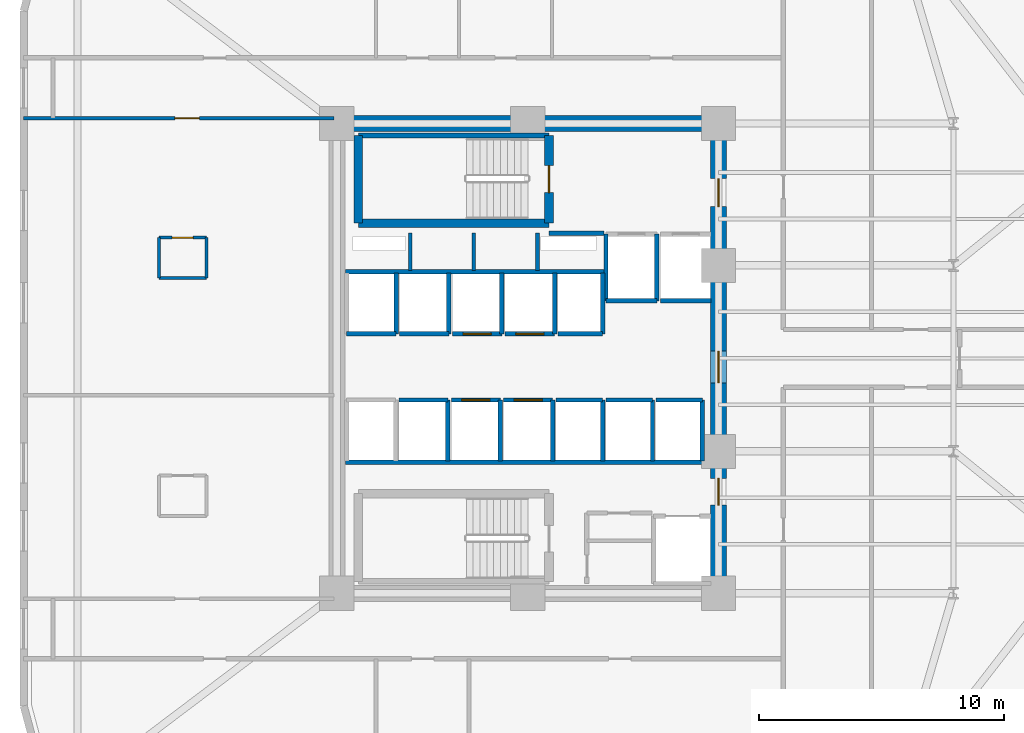
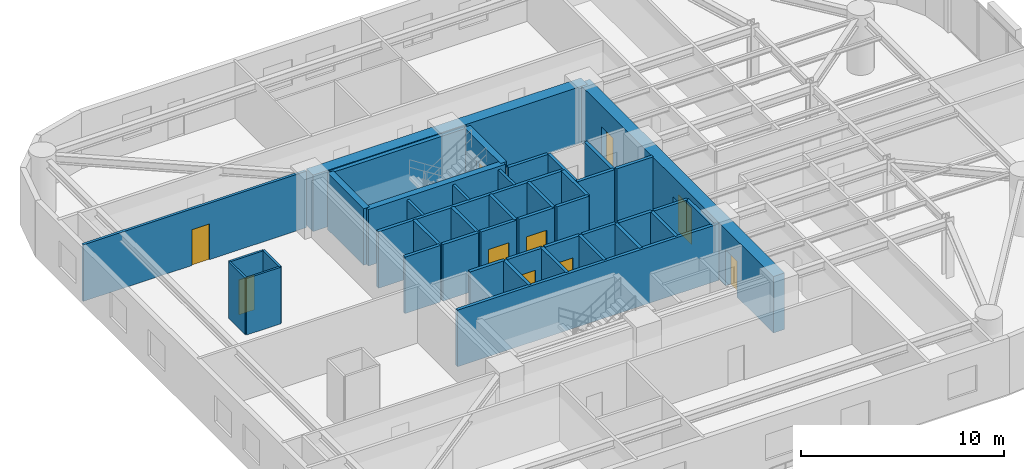
# One storey, part 11 of 15: 43 walls, 10 doors, 10 openings.
"""IFC4 building model written with IfcOpenShell, lengths in metres."""

from ifc_helpers import new_model, si_unit, direction, frame, frame_2d, origin, place, context, subcontext, project, spatial, rectangle, extrude, material, layer, layer_set, type_object, element, fill, save


model = new_model("IFC4")

# Units and contexts
model_context = context("Model", 3, precision=1e-05, world=origin(), true_north=direction((0.0, 1.0)))
body_context = subcontext(model_context, "Body", "Model", "MODEL_VIEW")
ifc_project = project(units=[si_unit("LENGTHUNIT", "METRE"), si_unit("AREAUNIT", "SQUARE_METRE"), si_unit("VOLUMEUNIT", "CUBIC_METRE"), si_unit("PLANEANGLEUNIT", "RADIAN"), si_unit("MASSUNIT", "GRAM", prefix="KILO")], contexts=[model_context])

# Site, building, storey
site_placement = place(None, origin())
site = spatial("IfcSite", under=ifc_project, at=site_placement, CompositionType="ELEMENT")
building_placement = place(site_placement, origin())
building = spatial("IfcBuilding", under=site, at=building_placement, Name="An Khanh Terracotta Commons", CompositionType="ELEMENT")
storey_placement = place(building_placement, frame((0.0, 0.0, 86.300048828125)))
storey = spatial("IfcBuildingStorey", under=building, at=storey_placement, Name="L22", CompositionType="ELEMENT", Elevation=86.300048828125)

# Wall
ifc_material_1 = material(Name="Concrete C60/75", Category="concrete")
ifc_layer_1 = layer(ifc_material_1, 0.64990234375, Name="Concrete C60/75")
ifc_layer_set_1 = layer_set([ifc_layer_1], Name="Concrete C60/75")
wall_type_1 = type_object("IfcWallType", Name="WALL-CORE-650", PredefinedType="SHEAR", material=ifc_layer_set_1)
wall_1_placement = place(storey_placement, frame((21.60009765625, 33.60009765625, 0.0), z_axis=(0.0, 0.0, 1.0), x_axis=(1.0, 0.0, 0.0)))
element("IfcWall", 1, at=wall_1_placement, inside=storey, type_object=wall_type_1, Name="L22 Core Wall CWALL-L22-N", PredefinedType="SHEAR", context=body_context, shape_type="SweptSolid", body=[
    extrude(rectangle(XDim=15.599853515625, YDim=0.64990234375, at=frame_2d((7.7998046875, 0.0))), origin(), (0.0, 0.0, 1.0), 3.39990234375),
])

# Wall, openings, doors
wall_2_placement = place(storey_placement, frame((37.199951171875, 14.39990234375, 0.0), z_axis=(0.0, 0.0, 1.0), x_axis=(0.0, 1.0, 0.0)))
wall_2 = element("IfcWall", 2, at=wall_2_placement, inside=storey, type_object=wall_type_1, Name="L22 Core Wall CWALL-L22-E", PredefinedType="SHEAR", context=body_context, shape_type="SweptSolid", body=[
    extrude(rectangle(XDim=19.2001953125, YDim=0.64990234375, at=frame_2d((9.60009765625, 0.0))), origin(), (0.0, 0.0, 1.0), 3.39990234375),
])
opening_1_placement = place(wall_2_placement, frame((15.800048828125, 0.0, 0.0)))
opening_1 = element("IfcOpeningElement", 3, at=opening_1_placement, cuts=wall_2, Name="Opening D-FFL", PredefinedType="OPENING", context=body_context, shape_type="SweptSolid", body=[
    extrude(rectangle(XDim=1.14990234375, YDim=2.14990234375, at=frame_2d((0.574951171875, 1.074951171875))), frame((0.0, 0.3349609375, 0.0), z_axis=(0.0, -1.0, 0.0), x_axis=(1.0, 0.0, 0.0)), (0.0, 0.0, 1.0), 0.669921875),
])
opening_2_placement = place(wall_2_placement, frame((3.60009765625, 0.0, 0.0)))
opening_2 = element("IfcOpeningElement", 4, at=opening_2_placement, cuts=wall_2, Name="Opening D-ST", PredefinedType="OPENING", context=body_context, shape_type="SweptSolid", body=[
    extrude(rectangle(XDim=1.10009765625, YDim=2.14990234375, at=frame_2d((0.550048828125, 1.074951171875))), frame((0.0, 0.3349609375, 0.0), z_axis=(0.0, -1.0, 0.0), x_axis=(1.0, 0.0, 0.0)), (0.0, 0.0, 1.0), 0.669921875),
])
opening_3_placement = place(wall_2_placement, frame((8.60009765625, 0.0, 0.0)))
opening_3 = element("IfcOpeningElement", 5, at=opening_3_placement, cuts=wall_2, Name="Opening D-COR", PredefinedType="OPENING", context=body_context, shape_type="SweptSolid", body=[
    extrude(rectangle(XDim=1.300048828125, YDim=2.199951171875, at=frame_2d((0.64990234375, 1.10009765625))), frame((0.0, 0.3349609375, 0.0), z_axis=(0.0, -1.0, 0.0), x_axis=(1.0, 0.0, 0.0)), (0.0, 0.0, 1.0), 0.669921875),
])
ifc_material_2 = material(Name="Fire-Rated Glazed Steel Double Door", Category="steel")
door_type_1 = type_object("IfcDoorType", Name="DOOR-CORR-1300", OperationType="NOTDEFINED", PredefinedType="DOOR", material=ifc_material_2)
door_1_placement = place(opening_3_placement, origin())
door_1 = element("IfcDoor", 6, at=door_1_placement, inside=storey, type_object=door_type_1, Name="L22 Passenger Lift Lobby Double Door", OperationType="DOUBLE_DOOR_SINGLE_SWING", OverallHeight=2.199951171875, OverallWidth=1.300048828125, PredefinedType="DOOR", context=body_context, shape_type="SweptSolid", body=[
    extrude(rectangle(XDim=1.300048828125, YDim=2.199951171875, at=frame_2d((0.64990234375, 1.10009765625))), frame((0.0, 0.02490234375, 0.0), z_axis=(0.0, -1.0, 0.0), x_axis=(1.0, 0.0, 0.0)), (0.0, 0.0, 1.0), 0.050048828125),
])
fill(opening_3, door_1)
ifc_material_3 = material(Name="Fire-Rated Steel Leaf and Vision Panel", Category="steel")
door_type_2 = type_object("IfcDoorType", Name="DOOR-FFL-1150", OperationType="NOTDEFINED", PredefinedType="DOOR", material=ifc_material_3)
door_2_placement = place(opening_1_placement, origin())
door_2 = element("IfcDoor", 7, at=door_2_placement, inside=storey, type_object=door_type_2, Name="L22 Firefighting Lift Lobby Fire Door", OperationType="SINGLE_SWING_LEFT", OverallHeight=2.14990234375, OverallWidth=1.14990234375, PredefinedType="DOOR", context=body_context, shape_type="SweptSolid", body=[
    extrude(rectangle(XDim=1.14990234375, YDim=2.14990234375, at=frame_2d((0.574951171875, 1.074951171875))), frame((0.0, 0.02490234375, 0.0), z_axis=(0.0, -1.0, 0.0), x_axis=(1.0, 0.0, 0.0)), (0.0, 0.0, 1.0), 0.050048828125),
])
fill(opening_1, door_2)
ifc_material_4 = material(Name="Fire-Rated Steel Leaf and Frame", Category="steel")
door_type_3 = type_object("IfcDoorType", Name="DOOR-STAIR-1100", OperationType="NOTDEFINED", PredefinedType="DOOR", material=ifc_material_4)
door_3_placement = place(opening_2_placement, origin())
door_3 = element("IfcDoor", 8, at=door_3_placement, inside=storey, type_object=door_type_3, Name="L22 South Stair Lobby Fire Door", OperationType="SINGLE_SWING_RIGHT", OverallHeight=2.14990234375, OverallWidth=1.10009765625, PredefinedType="DOOR", context=body_context, shape_type="SweptSolid", body=[
    extrude(rectangle(XDim=1.10009765625, YDim=2.14990234375, at=frame_2d((0.550048828125, 1.074951171875))), frame((0.0, 0.02490234375, 0.0), z_axis=(0.0, -1.0, 0.0), x_axis=(1.0, 0.0, 0.0)), (0.0, 0.0, 1.0), 0.050048828125),
])
fill(opening_2, door_3)

# Walls
ifc_material_5 = material(Name="Fire-Rated Gypsum Board on Steel Stud", Category="steel")
ifc_layer_2 = layer(ifc_material_5, 0.179931640625, Name="Fire-Rated Gypsum Board on Steel Stud")
ifc_layer_set_2 = layer_set([ifc_layer_2], Name="Fire-Rated Gypsum Board on Steel Stud")
wall_type_2 = type_object("IfcWallType", Name="WALL-CORR-180", PredefinedType="PARTITIONING", material=ifc_layer_set_2)
wall_3_placement = place(storey_placement, frame((30.27001953125, 29.1201171875, 0.0), z_axis=(0.0, 0.0, 1.0), x_axis=(1.0, 0.0, 0.0)))
element("IfcWall", 9, at=wall_3_placement, inside=storey, type_object=wall_type_2, Name="L22 Core Wall FFLW-L22-S", PredefinedType="PARTITIONING", context=body_context, shape_type="SweptSolid", body=[
    extrude(rectangle(XDim=2.239990234375, YDim=0.179931640625, at=frame_2d((1.1201171875, 0.0))), origin(), (0.0, 0.0, 1.0), 3.39990234375),
])
wall_4_placement = place(storey_placement, frame((21.949951171875, 27.5400390625, 0.0), z_axis=(0.0, 0.0, 1.0), x_axis=(1.0, 0.0, 0.0)))
element("IfcWall", 10, at=wall_4_placement, inside=storey, type_object=wall_type_2, Name="L22 Core Wall RSRW-L22-S", PredefinedType="PARTITIONING", context=body_context, shape_type="SweptSolid", body=[
    extrude(rectangle(XDim=10.56005859375, YDim=0.179931640625, at=frame_2d((5.280029296875, 0.0))), origin(), (0.0, 0.0, 1.0), 3.39990234375),
])
wall_5_placement = place(storey_placement, frame((21.949951171875, 19.760009765625, 0.0), z_axis=(0.0, 0.0, 1.0), x_axis=(1.0, 0.0, 0.0)))
element("IfcWall", 11, at=wall_5_placement, inside=storey, type_object=wall_type_2, Name="L22 Core Wall SVW-L22-N", PredefinedType="PARTITIONING", context=body_context, shape_type="SweptSolid", body=[
    extrude(rectangle(XDim=14.8701171875, YDim=0.179931640625, at=frame_2d((7.43505859375, 0.0))), origin(), (0.0, 0.0, 1.0), 3.39990234375),
])
wall_6_placement = place(storey_placement, frame((34.679931640625, 26.35009765625, 0.0), z_axis=(0.0, 0.0, 1.0), x_axis=(-1.0, 0.0, 0.0)))
element("IfcWall", 12, at=wall_6_placement, inside=storey, type_object=wall_type_2, Name="L22 Core Wall LSH-L22-FFL-01-S", PredefinedType="PARTITIONING", context=body_context, shape_type="SweptSolid", body=[
    extrude(rectangle(XDim=2.079833984375, YDim=0.179931640625, at=frame_2d((1.0400390625, 0.0))), origin(), (0.0, 0.0, 1.0), 3.39990234375),
])
for number, where, z_axis, x_axis, name in (
    (13, (34.679931640625, 26.35009765625, 0.0), (0.0, 0.0, 1.0), (0.0, 1.0, 0.0), "L22 Core Wall LSH-L22-FFL-01-E"),
    (14, (32.60009765625, 29.080078125, 0.0), (0.0, 0.0, 1.0), (0.0, -1.0, 0.0), "L22 Core Wall LSH-L22-FFL-01-W"),
):
    element("IfcWall", number, at=place(storey_placement, frame(where, z_axis=z_axis, x_axis=x_axis)), inside=storey, type_object=wall_type_2, Name=name, PredefinedType="PARTITIONING", context=body_context, shape_type="SweptSolid", body=[
        extrude(rectangle(XDim=2.72998046875, YDim=0.179931640625, at=frame_2d((1.364990234375, 0.0))), origin(), (0.0, 0.0, 1.0), 3.39990234375),
    ])
wall_7_placement = place(storey_placement, frame((36.89990234375, 26.35009765625, 0.0), z_axis=(0.0, 0.0, 1.0), x_axis=(-1.0, 0.0, 0.0)))
element("IfcWall", 15, at=wall_7_placement, inside=storey, type_object=wall_type_2, Name="L22 Core Wall LSH-L22-FFL-02-S", PredefinedType="PARTITIONING", context=body_context, shape_type="SweptSolid", body=[
    extrude(rectangle(XDim=2.079833984375, YDim=0.179931640625, at=frame_2d((1.0400390625, 0.0))), origin(), (0.0, 0.0, 1.0), 3.39990234375),
])
wall_8_placement = place(storey_placement, frame((24.02001953125, 25.0, 0.0), z_axis=(0.0, 0.0, 1.0), x_axis=(-1.0, 0.0, 0.0)))
element("IfcWall", 16, at=wall_8_placement, inside=storey, type_object=wall_type_2, Name="L22 Core Wall LSH-L22-PL-L1-S", PredefinedType="PARTITIONING", context=body_context, shape_type="SweptSolid", body=[
    extrude(rectangle(XDim=2.02001953125, YDim=0.179931640625, at=frame_2d((1.010009765625, 0.0))), origin(), (0.0, 0.0, 1.0), 3.39990234375),
])
wall_9_placement = place(storey_placement, frame((24.02001953125, 25.0, 0.0), z_axis=(0.0, 0.0, 1.0), x_axis=(0.0, 1.0, 0.0)))
element("IfcWall", 17, at=wall_9_placement, inside=storey, type_object=wall_type_2, Name="L22 Core Wall LSH-L22-PL-L1-E", PredefinedType="PARTITIONING", context=body_context, shape_type="SweptSolid", body=[
    extrude(rectangle(XDim=2.5, YDim=0.179931640625, at=frame_2d((1.25, 0.0))), origin(), (0.0, 0.0, 1.0), 3.39990234375),
])
wall_10_placement = place(storey_placement, frame((26.179931640625, 25.0, 0.0), z_axis=(0.0, 0.0, 1.0), x_axis=(-1.0, 0.0, 0.0)))
element("IfcWall", 18, at=wall_10_placement, inside=storey, type_object=wall_type_2, Name="L22 Core Wall LSH-L22-PL-L2-S", PredefinedType="PARTITIONING", context=body_context, shape_type="SweptSolid", body=[
    extrude(rectangle(XDim=2.02001953125, YDim=0.179931640625, at=frame_2d((1.010009765625, 0.0))), origin(), (0.0, 0.0, 1.0), 3.39990234375),
])
wall_11_placement = place(storey_placement, frame((26.179931640625, 25.0, 0.0), z_axis=(0.0, 0.0, 1.0), x_axis=(0.0, 1.0, 0.0)))
element("IfcWall", 19, at=wall_11_placement, inside=storey, type_object=wall_type_2, Name="L22 Core Wall LSH-L22-PL-L2-E", PredefinedType="PARTITIONING", context=body_context, shape_type="SweptSolid", body=[
    extrude(rectangle(XDim=2.5, YDim=0.179931640625, at=frame_2d((1.25, 0.0))), origin(), (0.0, 0.0, 1.0), 3.39990234375),
])
wall_12_placement = place(storey_placement, frame((24.139892578125, 22.300048828125, 0.0), z_axis=(0.0, 0.0, 1.0), x_axis=(1.0, 0.0, 0.0)))
element("IfcWall", 20, at=wall_12_placement, inside=storey, type_object=wall_type_2, Name="L22 Core Wall LSH-L22-PL-L4-N", PredefinedType="PARTITIONING", context=body_context, shape_type="SweptSolid", body=[
    extrude(rectangle(XDim=2.0, YDim=0.179931640625, at=frame_2d((1.0, 0.0))), origin(), (0.0, 0.0, 1.0), 3.39990234375),
])
wall_13_placement = place(storey_placement, frame((26.139892578125, 19.800048828125, 0.0), z_axis=(0.0, 0.0, 1.0), x_axis=(0.0, 1.0, 0.0)))
element("IfcWall", 21, at=wall_13_placement, inside=storey, type_object=wall_type_2, Name="L22 Core Wall LSH-L22-PL-L4-E", PredefinedType="PARTITIONING", context=body_context, shape_type="SweptSolid", body=[
    extrude(rectangle(XDim=2.5, YDim=0.179931640625, at=frame_2d((1.25, 0.0))), origin(), (0.0, 0.0, 1.0), 3.39990234375),
])

# Wall, opening, door
wall_14_placement = place(storey_placement, frame((28.340087890625, 25.0, 0.0), z_axis=(0.0, 0.0, 1.0), x_axis=(-1.0, 0.0, 0.0)))
wall_14 = element("IfcWall", 22, at=wall_14_placement, inside=storey, type_object=wall_type_2, Name="L22 Core Wall LSH-L22-PL-M1-S", PredefinedType="PARTITIONING", context=body_context, shape_type="SweptSolid", body=[
    extrude(rectangle(XDim=2.02001953125, YDim=0.179931640625, at=frame_2d((1.010009765625, 0.0))), origin(), (0.0, 0.0, 1.0), 3.39990234375),
])
opening_4_placement = place(wall_14_placement, frame((0.43505859375, 0.0, 0.0)))
opening_4 = element("IfcOpeningElement", 23, at=opening_4_placement, cuts=wall_14, Name="Opening LD-PL-M1-L22", PredefinedType="OPENING", context=body_context, shape_type="SweptSolid", body=[
    extrude(rectangle(XDim=1.14990234375, YDim=2.199951171875, at=frame_2d((0.574951171875, 1.10009765625))), frame((0.0, 0.099853515625, 0.0), z_axis=(0.0, -1.0, 0.0), x_axis=(1.0, 0.0, 0.0)), (0.0, 0.0, 1.0), 0.199951171875),
])
ifc_material_6 = material(Name="Brushed Stainless Steel Passenger Landing Door", Category="steel")
door_type_4 = type_object("IfcDoorType", Name="DOOR-LD-PAX-1150", OperationType="NOTDEFINED", PredefinedType="DOOR", material=ifc_material_6)
door_4_placement = place(opening_4_placement, origin())
door_4 = element("IfcDoor", 24, at=door_4_placement, inside=storey, type_object=door_type_4, Name="L22 Lift PL-M1 Sliding Landing Door", OperationType="DOUBLE_DOOR_SLIDING", OverallHeight=2.199951171875, OverallWidth=1.14990234375, PredefinedType="DOOR", context=body_context, shape_type="SweptSolid", body=[
    extrude(rectangle(XDim=1.14990234375, YDim=2.199951171875, at=frame_2d((0.574951171875, 1.10009765625))), frame((0.0, 0.02490234375, 0.0), z_axis=(0.0, -1.0, 0.0), x_axis=(1.0, 0.0, 0.0)), (0.0, 0.0, 1.0), 0.050048828125),
])
fill(opening_4, door_4)

# Wall
wall_15_placement = place(storey_placement, frame((28.340087890625, 25.0, 0.0), z_axis=(0.0, 0.0, 1.0), x_axis=(0.0, 1.0, 0.0)))
element("IfcWall", 25, at=wall_15_placement, inside=storey, type_object=wall_type_2, Name="L22 Core Wall LSH-L22-PL-M1-E", PredefinedType="PARTITIONING", context=body_context, shape_type="SweptSolid", body=[
    extrude(rectangle(XDim=2.5, YDim=0.179931640625, at=frame_2d((1.25, 0.0))), origin(), (0.0, 0.0, 1.0), 3.39990234375),
])

# Wall, opening, door
wall_16_placement = place(storey_placement, frame((30.5, 25.0, 0.0), z_axis=(0.0, 0.0, 1.0), x_axis=(-1.0, 0.0, 0.0)))
wall_16 = element("IfcWall", 26, at=wall_16_placement, inside=storey, type_object=wall_type_2, Name="L22 Core Wall LSH-L22-PL-M2-S", PredefinedType="PARTITIONING", context=body_context, shape_type="SweptSolid", body=[
    extrude(rectangle(XDim=2.02001953125, YDim=0.179931640625, at=frame_2d((1.010009765625, 0.0))), origin(), (0.0, 0.0, 1.0), 3.39990234375),
])
opening_5_placement = place(wall_16_placement, frame((0.43505859375, 0.0, 0.0)))
opening_5 = element("IfcOpeningElement", 27, at=opening_5_placement, cuts=wall_16, Name="Opening LD-PL-M2-L22", PredefinedType="OPENING", context=body_context, shape_type="SweptSolid", body=[
    extrude(rectangle(XDim=1.14990234375, YDim=2.199951171875, at=frame_2d((0.574951171875, 1.10009765625))), frame((0.0, 0.099853515625, 0.0), z_axis=(0.0, -1.0, 0.0), x_axis=(1.0, 0.0, 0.0)), (0.0, 0.0, 1.0), 0.199951171875),
])
door_5_placement = place(opening_5_placement, origin())
door_5 = element("IfcDoor", 28, at=door_5_placement, inside=storey, type_object=door_type_4, Name="L22 Lift PL-M2 Sliding Landing Door", OperationType="DOUBLE_DOOR_SLIDING", OverallHeight=2.199951171875, OverallWidth=1.14990234375, PredefinedType="DOOR", context=body_context, shape_type="SweptSolid", body=[
    extrude(rectangle(XDim=1.14990234375, YDim=2.199951171875, at=frame_2d((0.574951171875, 1.10009765625))), frame((0.0, 0.02490234375, 0.0), z_axis=(0.0, -1.0, 0.0), x_axis=(1.0, 0.0, 0.0)), (0.0, 0.0, 1.0), 0.050048828125),
])
fill(opening_5, door_5)

# Wall
wall_17_placement = place(storey_placement, frame((30.5, 25.0, 0.0), z_axis=(0.0, 0.0, 1.0), x_axis=(0.0, 1.0, 0.0)))
element("IfcWall", 29, at=wall_17_placement, inside=storey, type_object=wall_type_2, Name="L22 Core Wall LSH-L22-PL-M2-E", PredefinedType="PARTITIONING", context=body_context, shape_type="SweptSolid", body=[
    extrude(rectangle(XDim=2.5, YDim=0.179931640625, at=frame_2d((1.25, 0.0))), origin(), (0.0, 0.0, 1.0), 3.39990234375),
])

# Wall, opening, door
wall_18_placement = place(storey_placement, frame((26.280029296875, 22.300048828125, 0.0), z_axis=(0.0, 0.0, 1.0), x_axis=(1.0, 0.0, 0.0)))
wall_18 = element("IfcWall", 30, at=wall_18_placement, inside=storey, type_object=wall_type_2, Name="L22 Core Wall LSH-L22-PL-M3-N", PredefinedType="PARTITIONING", context=body_context, shape_type="SweptSolid", body=[
    extrude(rectangle(XDim=2.0, YDim=0.179931640625, at=frame_2d((1.0, 0.0))), origin(), (0.0, 0.0, 1.0), 3.39990234375),
])
opening_6_placement = place(wall_18_placement, frame((0.425048828125, 0.0, 0.0)))
opening_6 = element("IfcOpeningElement", 31, at=opening_6_placement, cuts=wall_18, Name="Opening LD-PL-M3-L22", PredefinedType="OPENING", context=body_context, shape_type="SweptSolid", body=[
    extrude(rectangle(XDim=1.14990234375, YDim=2.199951171875, at=frame_2d((0.574951171875, 1.10009765625))), frame((0.0, 0.099853515625, 0.0), z_axis=(0.0, -1.0, 0.0), x_axis=(1.0, 0.0, 0.0)), (0.0, 0.0, 1.0), 0.199951171875),
])
door_6_placement = place(opening_6_placement, origin())
door_6 = element("IfcDoor", 32, at=door_6_placement, inside=storey, type_object=door_type_4, Name="L22 Lift PL-M3 Sliding Landing Door", OperationType="DOUBLE_DOOR_SLIDING", OverallHeight=2.199951171875, OverallWidth=1.14990234375, PredefinedType="DOOR", context=body_context, shape_type="SweptSolid", body=[
    extrude(rectangle(XDim=1.14990234375, YDim=2.199951171875, at=frame_2d((0.574951171875, 1.10009765625))), frame((0.0, 0.02490234375, 0.0), z_axis=(0.0, -1.0, 0.0), x_axis=(1.0, 0.0, 0.0)), (0.0, 0.0, 1.0), 0.050048828125),
])
fill(opening_6, door_6)

# Wall
wall_19_placement = place(storey_placement, frame((28.280029296875, 19.800048828125, 0.0), z_axis=(0.0, 0.0, 1.0), x_axis=(0.0, 1.0, 0.0)))
element("IfcWall", 33, at=wall_19_placement, inside=storey, type_object=wall_type_2, Name="L22 Core Wall LSH-L22-PL-M3-E", PredefinedType="PARTITIONING", context=body_context, shape_type="SweptSolid", body=[
    extrude(rectangle(XDim=2.5, YDim=0.179931640625, at=frame_2d((1.25, 0.0))), origin(), (0.0, 0.0, 1.0), 3.39990234375),
])

# Wall, opening, door
wall_20_placement = place(storey_placement, frame((28.419921875, 22.300048828125, 0.0), z_axis=(0.0, 0.0, 1.0), x_axis=(1.0, 0.0, 0.0)))
wall_20 = element("IfcWall", 34, at=wall_20_placement, inside=storey, type_object=wall_type_2, Name="L22 Core Wall LSH-L22-PL-M4-N", PredefinedType="PARTITIONING", context=body_context, shape_type="SweptSolid", body=[
    extrude(rectangle(XDim=2.0, YDim=0.179931640625, at=frame_2d((1.0, 0.0))), origin(), (0.0, 0.0, 1.0), 3.39990234375),
])
opening_7_placement = place(wall_20_placement, frame((0.425048828125, 0.0, 0.0)))
opening_7 = element("IfcOpeningElement", 35, at=opening_7_placement, cuts=wall_20, Name="Opening LD-PL-M4-L22", PredefinedType="OPENING", context=body_context, shape_type="SweptSolid", body=[
    extrude(rectangle(XDim=1.14990234375, YDim=2.199951171875, at=frame_2d((0.574951171875, 1.10009765625))), frame((0.0, 0.099853515625, 0.0), z_axis=(0.0, -1.0, 0.0), x_axis=(1.0, 0.0, 0.0)), (0.0, 0.0, 1.0), 0.199951171875),
])
door_7_placement = place(opening_7_placement, origin())
door_7 = element("IfcDoor", 36, at=door_7_placement, inside=storey, type_object=door_type_4, Name="L22 Lift PL-M4 Sliding Landing Door", OperationType="DOUBLE_DOOR_SLIDING", OverallHeight=2.199951171875, OverallWidth=1.14990234375, PredefinedType="DOOR", context=body_context, shape_type="SweptSolid", body=[
    extrude(rectangle(XDim=1.14990234375, YDim=2.199951171875, at=frame_2d((0.574951171875, 1.10009765625))), frame((0.0, 0.02490234375, 0.0), z_axis=(0.0, -1.0, 0.0), x_axis=(1.0, 0.0, 0.0)), (0.0, 0.0, 1.0), 0.050048828125),
])
fill(opening_7, door_7)

# Walls
wall_21_placement = place(storey_placement, frame((30.419921875, 19.800048828125, 0.0), z_axis=(0.0, 0.0, 1.0), x_axis=(0.0, 1.0, 0.0)))
element("IfcWall", 37, at=wall_21_placement, inside=storey, type_object=wall_type_2, Name="L22 Core Wall LSH-L22-PL-M4-E", PredefinedType="PARTITIONING", context=body_context, shape_type="SweptSolid", body=[
    extrude(rectangle(XDim=2.5, YDim=0.179931640625, at=frame_2d((1.25, 0.0))), origin(), (0.0, 0.0, 1.0), 3.39990234375),
])
wall_22_placement = place(storey_placement, frame((32.4599609375, 25.0, 0.0), z_axis=(0.0, 0.0, 1.0), x_axis=(-1.0, 0.0, 0.0)))
element("IfcWall", 38, at=wall_22_placement, inside=storey, type_object=wall_type_2, Name="L22 Core Wall LSH-L22-PL-H1-S", PredefinedType="PARTITIONING", context=body_context, shape_type="SweptSolid", body=[
    extrude(rectangle(XDim=1.820068359375, YDim=0.179931640625, at=frame_2d((0.91015625, 0.0))), origin(), (0.0, 0.0, 1.0), 3.39990234375),
])
wall_23_placement = place(storey_placement, frame((32.4599609375, 25.0, 0.0), z_axis=(0.0, 0.0, 1.0), x_axis=(0.0, 1.0, 0.0)))
element("IfcWall", 39, at=wall_23_placement, inside=storey, type_object=wall_type_2, Name="L22 Core Wall LSH-L22-PL-H1-E", PredefinedType="PARTITIONING", context=body_context, shape_type="SweptSolid", body=[
    extrude(rectangle(XDim=2.5, YDim=0.179931640625, at=frame_2d((1.25, 0.0))), origin(), (0.0, 0.0, 1.0), 3.39990234375),
])
wall_24_placement = place(storey_placement, frame((30.56005859375, 22.300048828125, 0.0), z_axis=(0.0, 0.0, 1.0), x_axis=(1.0, 0.0, 0.0)))
element("IfcWall", 40, at=wall_24_placement, inside=storey, type_object=wall_type_2, Name="L22 Core Wall LSH-L22-PL-H2-N", PredefinedType="PARTITIONING", context=body_context, shape_type="SweptSolid", body=[
    extrude(rectangle(XDim=1.89990234375, YDim=0.179931640625, at=frame_2d((0.949951171875, 0.0))), origin(), (0.0, 0.0, 1.0), 3.39990234375),
])
wall_25_placement = place(storey_placement, frame((32.4599609375, 19.800048828125, 0.0), z_axis=(0.0, 0.0, 1.0), x_axis=(0.0, 1.0, 0.0)))
element("IfcWall", 41, at=wall_25_placement, inside=storey, type_object=wall_type_2, Name="L22 Core Wall LSH-L22-PL-H2-E", PredefinedType="PARTITIONING", context=body_context, shape_type="SweptSolid", body=[
    extrude(rectangle(XDim=2.5, YDim=0.179931640625, at=frame_2d((1.25, 0.0))), origin(), (0.0, 0.0, 1.0), 3.39990234375),
])
wall_26_placement = place(storey_placement, frame((32.60009765625, 22.300048828125, 0.0), z_axis=(0.0, 0.0, 1.0), x_axis=(1.0, 0.0, 0.0)))
element("IfcWall", 42, at=wall_26_placement, inside=storey, type_object=wall_type_2, Name="L22 Core Wall LSH-L22-PL-H3-N", PredefinedType="PARTITIONING", context=body_context, shape_type="SweptSolid", body=[
    extrude(rectangle(XDim=1.89990234375, YDim=0.179931640625, at=frame_2d((0.949951171875, 0.0))), origin(), (0.0, 0.0, 1.0), 3.39990234375),
])
wall_27_placement = place(storey_placement, frame((34.5, 19.800048828125, 0.0), z_axis=(0.0, 0.0, 1.0), x_axis=(0.0, 1.0, 0.0)))
element("IfcWall", 43, at=wall_27_placement, inside=storey, type_object=wall_type_2, Name="L22 Core Wall LSH-L22-PL-H3-E", PredefinedType="PARTITIONING", context=body_context, shape_type="SweptSolid", body=[
    extrude(rectangle(XDim=2.5, YDim=0.179931640625, at=frame_2d((1.25, 0.0))), origin(), (0.0, 0.0, 1.0), 3.39990234375),
])
wall_28_placement = place(storey_placement, frame((34.639892578125, 22.300048828125, 0.0), z_axis=(0.0, 0.0, 1.0), x_axis=(1.0, 0.0, 0.0)))
element("IfcWall", 44, at=wall_28_placement, inside=storey, type_object=wall_type_2, Name="L22 Core Wall LSH-L22-PL-H4-N", PredefinedType="PARTITIONING", context=body_context, shape_type="SweptSolid", body=[
    extrude(rectangle(XDim=1.900146484375, YDim=0.179931640625, at=frame_2d((0.9501953125, 0.0))), origin(), (0.0, 0.0, 1.0), 3.39990234375),
])
wall_29_placement = place(storey_placement, frame((36.5400390625, 19.800048828125, 0.0), z_axis=(0.0, 0.0, 1.0), x_axis=(0.0, 1.0, 0.0)))
element("IfcWall", 45, at=wall_29_placement, inside=storey, type_object=wall_type_2, Name="L22 Core Wall LSH-L22-PL-H4-E", PredefinedType="PARTITIONING", context=body_context, shape_type="SweptSolid", body=[
    extrude(rectangle(XDim=2.5, YDim=0.179931640625, at=frame_2d((1.25, 0.0))), origin(), (0.0, 0.0, 1.0), 3.39990234375),
])
ifc_material_7 = material(Name="Acoustic Gypsum Board Partition")
ifc_layer_3 = layer(ifc_material_7, 0.14990234375, Name="Acoustic Gypsum Board Partition")
ifc_layer_set_3 = layer_set([ifc_layer_3], Name="Acoustic Gypsum Board Partition")
wall_type_3 = type_object("IfcWallType", Name="WALL-PART-150", PredefinedType="PARTITIONING", material=ifc_layer_set_3)
for number, where, z_axis, x_axis, name in (
    (46, (24.60009765625, 27.60009765625, 0.0), (0.0, 0.0, 1.0), (0.0, 1.0, 0.0), "L22 Core Wall RSRW-L22-D1"),
    (47, (27.199951171875, 27.60009765625, 0.0), (0.0, 0.0, 1.0), (0.0, 1.0, 0.0), "L22 Core Wall RSRW-L22-D2"),
    (48, (29.800048828125, 27.60009765625, 0.0), (0.0, 0.0, 1.0), (0.0, 1.0, 0.0), "L22 Core Wall RSRW-L22-D3"),
):
    element("IfcWall", number, at=place(storey_placement, frame(where, z_axis=z_axis, x_axis=x_axis)), inside=storey, type_object=wall_type_3, Name=name, PredefinedType="PARTITIONING", context=body_context, shape_type="SweptSolid", body=[
        extrude(rectangle(XDim=1.52001953125, YDim=0.14990234375, at=frame_2d((0.760009765625, 0.0))), origin(), (0.0, 0.0, 1.0), 3.39990234375),
    ])

# Wall, opening, door
wall_30_placement = place(storey_placement, frame((8.800048828125, 33.820068359375, 0.0), z_axis=(0.0, 0.0, 1.0), x_axis=(1.0, 0.0, 0.0)))
wall_30 = element("IfcWall", 49, at=wall_30_placement, inside=storey, type_object=wall_type_3, Name="L22 Interior Partition IW-L22-E007", PredefinedType="PARTITIONING", context=body_context, shape_type="SweptSolid", body=[
    extrude(rectangle(XDim=12.679931640625, YDim=0.14990234375, at=frame_2d((6.33984375, 0.0))), origin(), (0.0, 0.0, 1.0), 3.39990234375),
])
opening_8_placement = place(wall_30_placement, frame((6.179931640625, 0.0, 0.0)))
opening_8 = element("IfcOpeningElement", 50, at=opening_8_placement, cuts=wall_30, Name="Opening D-UN", PredefinedType="OPENING", context=body_context, shape_type="SweptSolid", body=[
    extrude(rectangle(XDim=1.0, YDim=2.14990234375, at=frame_2d((0.5, 1.074951171875))), frame((0.0, 0.0849609375, 0.0), z_axis=(0.0, -1.0, 0.0), x_axis=(1.0, 0.0, 0.0)), (0.0, 0.0, 1.0), 0.169921875),
])
ifc_material_8 = material(Name="Solid-Core Hardwood Acoustic Fire Door", Category="wood")
door_type_5 = type_object("IfcDoorType", Name="DOOR-UNIT-1000", OperationType="NOTDEFINED", PredefinedType="DOOR", material=ifc_material_8)
door_8_placement = place(opening_8_placement, origin())
door_8 = element("IfcDoor", 51, at=door_8_placement, inside=storey, type_object=door_type_5, Name="L22 WW2 Kitchenette and Studio Apartment Door", OperationType="SINGLE_SWING_RIGHT", OverallHeight=2.14990234375, OverallWidth=1.0, PredefinedType="DOOR", context=body_context, shape_type="SweptSolid", body=[
    extrude(rectangle(XDim=1.0, YDim=2.14990234375, at=frame_2d((0.5, 1.074951171875))), frame((0.0, 0.02490234375, 0.0), z_axis=(0.0, -1.0, 0.0), x_axis=(1.0, 0.0, 0.0)), (0.0, 0.0, 1.0), 0.050048828125),
])
fill(opening_8, door_8)

# Walls
ifc_material_9 = material(Name="Acoustic Double-Stud Gypsum and Mineral Wool")
ifc_layer_4 = layer(ifc_material_9, 0.219970703125, Name="Acoustic Double-Stud Gypsum and Mineral Wool")
ifc_layer_set_4 = layer_set([ifc_layer_4], Name="Acoustic Double-Stud Gypsum and Mineral Wool")
wall_type_4 = type_object("IfcWallType", Name="WALL-PARTY-220", PredefinedType="PARTITIONING", material=ifc_layer_set_4)
wall_31_placement = place(storey_placement, frame((22.47998046875, 33.110107421875, 0.0), z_axis=(0.0, 0.0, 1.0), x_axis=(1.0, 0.0, 0.0)))
element("IfcWall", 52, at=wall_31_placement, inside=storey, type_object=wall_type_4, Name="L22 Core Wall STW-L22-N-N", PredefinedType="PARTITIONING", context=body_context, shape_type="SweptSolid", body=[
    extrude(rectangle(XDim=7.7900390625, YDim=0.219970703125, at=frame_2d((3.89501953125, 0.0))), origin(), (0.0, 0.0, 1.0), 3.39990234375),
])
ifc_material_10 = material(Name="Concrete C50/60", Category="concrete")
ifc_layer_5 = layer(ifc_material_10, 0.35009765625, Name="Concrete C50/60")
ifc_layer_set_5 = layer_set([ifc_layer_5], Name="Concrete C50/60")
wall_type_5 = type_object("IfcWallType", Name="WALL-SHAFT-350", PredefinedType="SOLIDWALL", material=ifc_layer_set_5)
wall_32_placement = place(storey_placement, frame((22.47998046875, 29.530029296875, 0.0), z_axis=(0.0, 0.0, 1.0), x_axis=(1.0, 0.0, 0.0)))
element("IfcWall", 53, at=wall_32_placement, inside=storey, type_object=wall_type_5, Name="L22 Core Wall STW-L22-N-S", PredefinedType="SOLIDWALL", context=body_context, shape_type="SweptSolid", body=[
    extrude(rectangle(XDim=7.7900390625, YDim=0.35009765625, at=frame_2d((3.89501953125, 0.0))), origin(), (0.0, 0.0, 1.0), 3.39990234375),
])
wall_33_placement = place(storey_placement, frame((22.47998046875, 29.530029296875, 0.0), z_axis=(0.0, 0.0, 1.0), x_axis=(0.0, 1.0, 0.0)))
element("IfcWall", 54, at=wall_33_placement, inside=storey, type_object=wall_type_5, Name="L22 Core Wall STW-L22-N-W", PredefinedType="SOLIDWALL", context=body_context, shape_type="SweptSolid", body=[
    extrude(rectangle(XDim=3.580078125, YDim=0.35009765625, at=frame_2d((1.7900390625, 0.0))), origin(), (0.0, 0.0, 1.0), 3.39990234375),
])

# Wall, opening, door
wall_34_placement = place(storey_placement, frame((30.27001953125, 29.530029296875, 0.0), z_axis=(0.0, 0.0, 1.0), x_axis=(0.0, 1.0, 0.0)))
wall_34 = element("IfcWall", 55, at=wall_34_placement, inside=storey, type_object=wall_type_5, Name="L22 Core Wall STW-L22-N-E", PredefinedType="SOLIDWALL", context=body_context, shape_type="SweptSolid", body=[
    extrude(rectangle(XDim=3.580078125, YDim=0.35009765625, at=frame_2d((1.7900390625, 0.0))), origin(), (0.0, 0.0, 1.0), 3.39990234375),
])
opening_9_placement = place(wall_34_placement, frame((1.25, 0.0, 0.0)))
opening_9 = element("IfcOpeningElement", 56, at=opening_9_placement, cuts=wall_34, Name="Opening D-ST", PredefinedType="OPENING", context=body_context, shape_type="SweptSolid", body=[
    extrude(rectangle(XDim=1.10009765625, YDim=2.14990234375, at=frame_2d((0.550048828125, 1.074951171875))), frame((0.0, 0.18505859375, 0.0), z_axis=(0.0, -1.0, 0.0), x_axis=(1.0, 0.0, 0.0)), (0.0, 0.0, 1.0), 0.3701171875),
])
door_9_placement = place(opening_9_placement, origin())
door_9 = element("IfcDoor", 57, at=door_9_placement, inside=storey, type_object=door_type_3, Name="L22 Stair ST-01 Fire Door", OperationType="SINGLE_SWING_LEFT", OverallHeight=2.14990234375, OverallWidth=1.10009765625, PredefinedType="DOOR", context=body_context, shape_type="SweptSolid", body=[
    extrude(rectangle(XDim=1.10009765625, YDim=2.14990234375, at=frame_2d((0.550048828125, 1.074951171875))), frame((0.0, 0.02490234375, 0.0), z_axis=(0.0, -1.0, 0.0), x_axis=(1.0, 0.0, 0.0)), (0.0, 0.0, 1.0), 0.050048828125),
])
fill(opening_9, door_9)

ifc_material_11 = material(Name="Moisture-Resistant Cement Board Partition")
ifc_layer_6 = layer(ifc_material_11, 0.1201171875, Name="Moisture-Resistant Cement Board Partition")
ifc_layer_set_6 = layer_set([ifc_layer_6], Name="Moisture-Resistant Cement Board Partition")
wall_type_6 = type_object("IfcWallType", Name="WALL-WET-120", PredefinedType="PARTITIONING", material=ifc_layer_set_6)
wall_35_placement = place(storey_placement, frame((14.324951171875, 28.93505859375, 0.0), z_axis=(0.0, 0.0, 1.0), x_axis=(1.0, 0.0, 0.0)))
wall_35 = element("IfcWall", 58, at=wall_35_placement, inside=storey, type_object=wall_type_6, Name="L22 Interior Partition IW-L22-WW2-BN", PredefinedType="PARTITIONING", context=body_context, shape_type="SweptSolid", body=[
    extrude(rectangle(XDim=1.949951171875, YDim=0.1201171875, at=frame_2d((0.97509765625, 0.0))), origin(), (0.0, 0.0, 1.0), 3.39990234375),
])
opening_10_placement = place(wall_35_placement, frame((0.544921875, 0.0, 0.0)))
opening_10 = element("IfcOpeningElement", 59, at=opening_10_placement, cuts=wall_35, Name="Opening D-ENS", PredefinedType="OPENING", context=body_context, shape_type="SweptSolid", body=[
    extrude(rectangle(XDim=0.860107421875, YDim=2.10009765625, at=frame_2d((0.43017578125, 1.050048828125))), frame((0.0, 0.070068359375, 0.0), z_axis=(0.0, -1.0, 0.0), x_axis=(1.0, 0.0, 0.0)), (0.0, 0.0, 1.0), 0.14013671875),
])
ifc_material_12 = material(Name="Moisture-Resistant Hardwood Timber Leaf", Category="wood")
door_type_6 = type_object("IfcDoorType", Name="DOOR-BATH-860", OperationType="NOTDEFINED", PredefinedType="DOOR", material=ifc_material_12)
door_10_placement = place(opening_10_placement, origin())
door_10 = element("IfcDoor", 60, at=door_10_placement, inside=storey, type_object=door_type_6, Name="L22 Studio WW2 En-suite Door", OperationType="SINGLE_SWING_RIGHT", OverallHeight=2.10009765625, OverallWidth=0.860107421875, PredefinedType="DOOR", context=body_context, shape_type="SweptSolid", body=[
    extrude(rectangle(XDim=0.860107421875, YDim=2.10009765625, at=frame_2d((0.43017578125, 1.050048828125))), frame((0.0, 0.02490234375, 0.0), z_axis=(0.0, -1.0, 0.0), x_axis=(1.0, 0.0, 0.0)), (0.0, 0.0, 1.0), 0.050048828125),
])
fill(opening_10, door_10)

# Walls
wall_36_placement = place(storey_placement, frame((16.27490234375, 27.284912109375, 0.0), z_axis=(0.0, 0.0, 1.0), x_axis=(-1.0, 0.0, 0.0)))
element("IfcWall", 61, at=wall_36_placement, inside=storey, type_object=wall_type_6, Name="L22 Interior Partition IW-L22-WW2-BS", PredefinedType="PARTITIONING", context=body_context, shape_type="SweptSolid", body=[
    extrude(rectangle(XDim=1.949951171875, YDim=0.1201171875, at=frame_2d((0.97509765625, 0.0))), origin(), (0.0, 0.0, 1.0), 3.39990234375),
])
for number, where, z_axis, x_axis, name in (
    (62, (14.324951171875, 28.93505859375, 0.0), (0.0, 0.0, 1.0), (0.0, -1.0, 0.0), "L22 Interior Partition IW-L22-WW2-BW"),
    (63, (16.27490234375, 27.284912109375, 0.0), (0.0, 0.0, 1.0), (0.0, 1.0, 0.0), "L22 Interior Partition IW-L22-WW2-BE"),
):
    element("IfcWall", number, at=place(storey_placement, frame(where, z_axis=z_axis, x_axis=x_axis)), inside=storey, type_object=wall_type_6, Name=name, PredefinedType="PARTITIONING", context=body_context, shape_type="SweptSolid", body=[
        extrude(rectangle(XDim=1.650146484375, YDim=0.1201171875, at=frame_2d((0.8251953125, 0.0))), origin(), (0.0, 0.0, 1.0), 3.39990234375),
    ])

save(model, "model.ifc")
